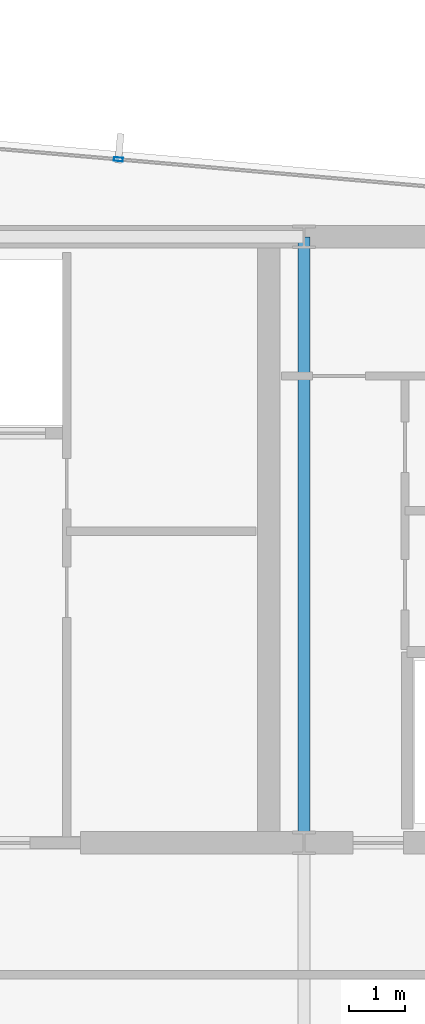
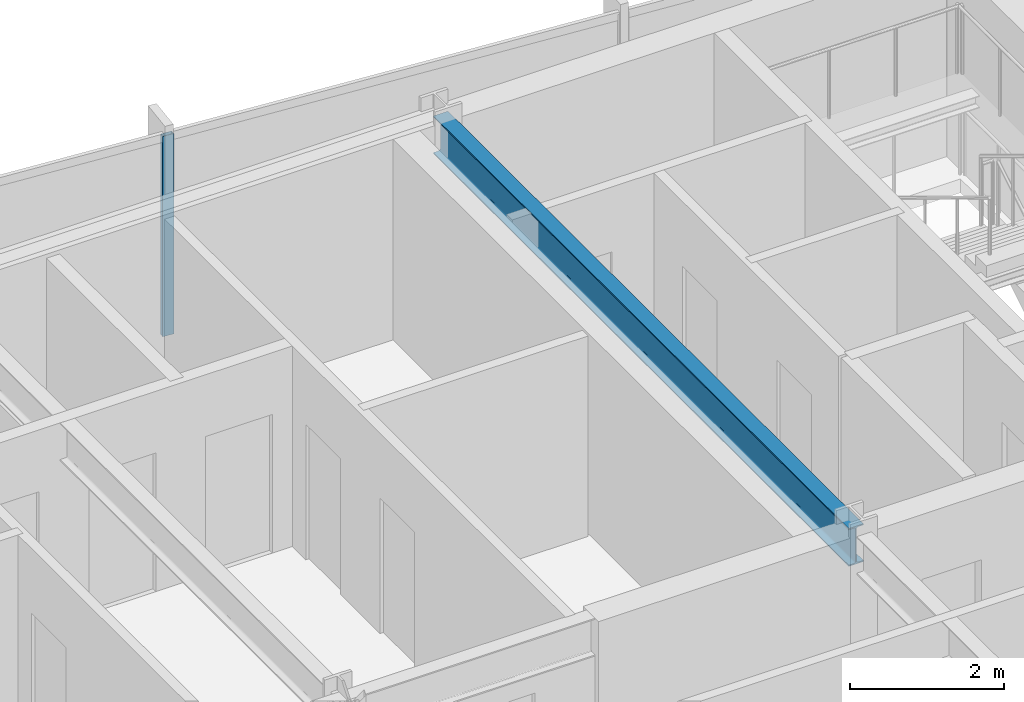
# One storey, part 19 of 32: 1 beam, 1 member, 1 element without a shape of its own.
"""IFC4 building model written with IfcOpenShell, lengths in metres."""

from ifc_helpers import new_model, si_unit, direction, frame, origin, origin_2d, place, context, subcontext, project, spatial, hollow_rectangle, i_section, extrude, material, material_profile, profile_set, type_object, element, aggregate, save


model = new_model("IFC4")

# Units and contexts
model_context = context("Model", 3, precision=1e-05, world=origin(), true_north=direction((0.0, 1.0)))
body_context = subcontext(model_context, "Body", "Model", "MODEL_VIEW")
ifc_project = project(units=[si_unit("LENGTHUNIT", "METRE"), si_unit("AREAUNIT", "SQUARE_METRE"), si_unit("VOLUMEUNIT", "CUBIC_METRE"), si_unit("PLANEANGLEUNIT", "RADIAN"), si_unit("MASSUNIT", "GRAM", prefix="KILO")], contexts=[model_context])

# Site, building, storey
site_placement = place(None, origin())
site = spatial("IfcSite", under=ifc_project, at=site_placement, CompositionType="ELEMENT")
building_placement = place(site_placement, origin())
building = spatial("IfcBuilding", under=site, at=building_placement, Name="Yelkora Congress Tower", CompositionType="ELEMENT")
storey_placement = place(building_placement, frame((0.0, 0.0, 279.5)))
storey = spatial("IfcBuildingStorey", under=building, at=storey_placement, Name="L78", CompositionType="ELEMENT", Elevation=279.5)

# Beam
ifc_material_1 = material(Name="Steel S355J2", Category="steel")
ifc_material_profile_1 = material_profile(ifc_material_1, i_section(OverallWidth=0.219970703125, OverallDepth=0.60009765625, WebThickness=0.011962890625, FlangeThickness=0.01904296875, FilletRadius=0.02392578125, at=origin_2d()), Name="IPE 600")
ifc_profile_set_1 = profile_set([ifc_material_profile_1], Name="Steel S355J2")
beam_type = type_object("IfcBeamType", Name="BM-GIRD-IPE600", PredefinedType="BEAM", material=ifc_profile_set_1)
beam_placement = place(storey_placement, frame((46.080078125, 35.39990234375, 2.8798828125), z_axis=(0.0, 1.0, 0.0), x_axis=(-1.0, 0.0, 0.0)))
element("IfcBeam", 1, at=beam_placement, inside=storey, type_object=beam_type, Name="L78 Core Tie Girder MC-S4", PredefinedType="BEAM", context=body_context, shape_type="SweptSolid", body=[
    extrude(i_section(OverallWidth=0.219970703125, OverallDepth=0.60009765625, WebThickness=0.011962890625, FlangeThickness=0.01904296875, FilletRadius=0.02392578125, at=origin_2d()), origin(), (0.0, 0.0, 1.0), 10.800048828125),
])

# Curtain wall, member
ifc_material_2 = material(Name="Anodised aluminium and insulated glass", Category="aluminium")
curtain_wall_type = type_object("IfcCurtainWallType", Name="CW-SYS-B5", PredefinedType="NOTDEFINED", material=ifc_material_2)
curtain_wall_placement = place(storey_placement, origin())
curtain_wall = element("IfcCurtainWall", 2, at=curtain_wall_placement, inside=storey, type_object=curtain_wall_type, Name="L78 Unitised Curtain Wall 10", PredefinedType="NOTDEFINED")
ifc_material_3 = material(Name="Anodised aluminium 6063-T6", Category="aluminium")
ifc_material_profile_2 = material_profile(ifc_material_3, hollow_rectangle(XDim=0.06494140625, YDim=0.159912109375, WallThickness=0.00390625, at=origin_2d()), Name="ALU 65x160x4")
ifc_profile_set_2 = profile_set([ifc_material_profile_2], Name="Anodised aluminium 6063-T6")
member_type = type_object("IfcMemberType", Name="MEM-ML-B5", PredefinedType="MULLION", material=ifc_profile_set_2)
member_placement = place(storey_placement, frame((42.77294921875, 47.58154296875, 0.0), z_axis=(0.0, 0.0, 1.0), x_axis=(0.087156639893, 0.996194619601, 0.0)))
member = element("IfcMember", 3, at=member_placement, type_object=member_type, Name="CW-B5 mullion 6", PredefinedType="MULLION", context=body_context, shape_type="SweptSolid", body=[
    extrude(hollow_rectangle(XDim=0.06494140625, YDim=0.159912109375, WallThickness=0.00390625, at=origin_2d()), origin(), (0.0, 0.0, 1.0), 3.179931640625),
])
aggregate(curtain_wall, [member])

save(model, "model.ifc")
